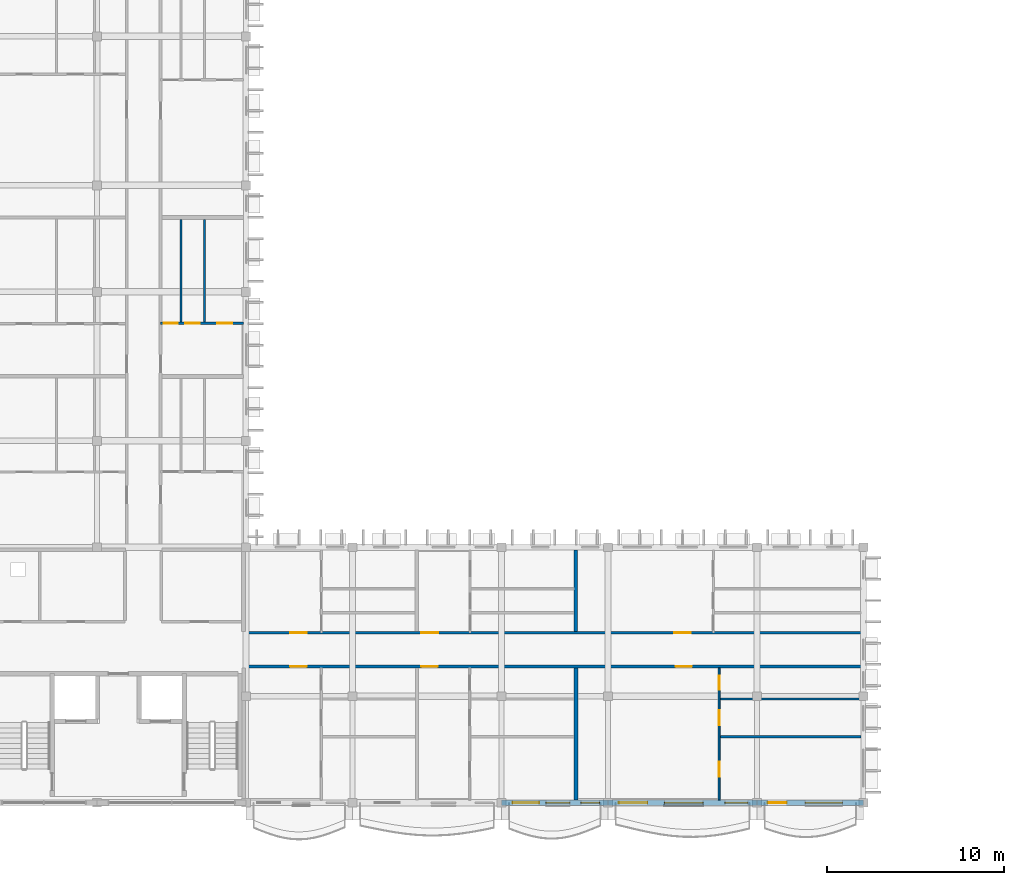
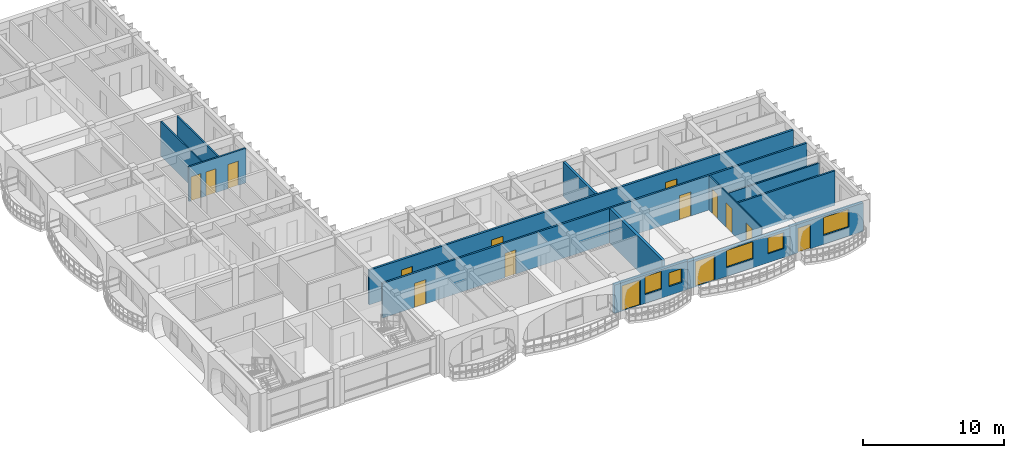
# One storey, part 16 of 66: 15 doors, 13 walls, 5 windows, 20 openings.
"""IFC4 building model written with IfcOpenShell, lengths in metres."""

from ifc_helpers import new_model, si_unit, direction, frame, frame_2d, origin, place, context, subcontext, project, spatial, rectangle, extrude, material, layer, layer_set, type_object, element, fill, save


model = new_model("IFC4")

# Units and contexts
model_context = context("Model", 3, precision=1e-05, world=origin(), true_north=direction((0.0, 1.0)))
body_context = subcontext(model_context, "Body", "Model", "MODEL_VIEW")
ifc_project = project(units=[si_unit("LENGTHUNIT", "METRE"), si_unit("AREAUNIT", "SQUARE_METRE"), si_unit("VOLUMEUNIT", "CUBIC_METRE"), si_unit("PLANEANGLEUNIT", "RADIAN"), si_unit("MASSUNIT", "GRAM", prefix="KILO"), si_unit("THERMODYNAMICTEMPERATUREUNIT", "KELVIN")], contexts=[model_context])

# Site, building, storey
site_placement = place(None, origin())
site = spatial("IfcSite", under=ifc_project, at=site_placement, CompositionType="ELEMENT")
building_placement = place(site_placement, origin())
building = spatial("IfcBuilding", under=site, at=building_placement, Name="Thalorik Housing Commons", CompositionType="ELEMENT")
storey_placement = place(building_placement, frame((0.0, 0.0, 21.300048828125)))
storey = spatial("IfcBuildingStorey", under=building, at=storey_placement, Name="L06", CompositionType="ELEMENT", Elevation=21.300048828125)

# Wall, openings, doors
ifc_material_1 = material(Name="Masonry fire-rated corridor wall", Category="masonry")
ifc_layer_1 = layer(ifc_material_1, 0.14990234375, Name="Masonry fire-rated corridor wall", Category="masonry")
ifc_layer_set_1 = layer_set([ifc_layer_1], Name="Masonry fire-rated corridor wall")
wall_type_1 = type_object("IfcWallType", Name="ARC-WAL-CORR-150", PredefinedType="PARTITIONING", material=ifc_layer_set_1)
wall_1_placement = place(storey_placement, frame((22.659912109375, 16.080078125, 0.0), z_axis=(0.0, 0.0, 1.0), x_axis=(1.0, 0.0, 0.0)))
wall_1 = element("IfcWall", 1, at=wall_1_placement, inside=storey, type_object=wall_type_1, Name="L06 Block C S Corridor Wall 1", PredefinedType="PARTITIONING", context=body_context, shape_type="SweptSolid", body=[
    extrude(rectangle(XDim=34.79296875, YDim=0.14990234375, at=frame_2d((17.396484375, 0.0))), origin(), (0.0, 0.0, 1.0), 3.0),
])
opening_1_placement = place(wall_1_placement, frame((2.626708984375, 0.0, 0.0)))
opening_1 = element("IfcOpeningElement", 2, at=opening_1_placement, cuts=wall_1, Name="Opening ID-1836", PredefinedType="OPENING", context=body_context, shape_type="SweptSolid", body=[
    extrude(rectangle(XDim=0.919921875, YDim=2.10009765625, at=frame_2d((0.4599609375, 1.050048828125))), frame((0.0, 0.0849609375, 0.0), z_axis=(0.0, -1.0, 0.0), x_axis=(1.0, 0.0, 0.0)), (0.0, 0.0, 1.0), 0.169921875),
])
opening_2_placement = place(wall_1_placement, frame((10.02001953125, 0.0, 0.0)))
opening_2 = element("IfcOpeningElement", 3, at=opening_2_placement, cuts=wall_1, Name="Opening ID-1837", PredefinedType="OPENING", context=body_context, shape_type="SweptSolid", body=[
    extrude(rectangle(XDim=0.919921875, YDim=2.10009765625, at=frame_2d((0.4599609375, 1.050048828125))), frame((0.0, 0.0849609375, 0.0), z_axis=(0.0, -1.0, 0.0), x_axis=(1.0, 0.0, 0.0)), (0.0, 0.0, 1.0), 0.169921875),
])
opening_3_placement = place(wall_1_placement, frame((24.354736328125, 0.0, 0.0)))
opening_3 = element("IfcOpeningElement", 4, at=opening_3_placement, cuts=wall_1, Name="Opening ID-1838", PredefinedType="OPENING", context=body_context, shape_type="SweptSolid", body=[
    extrude(rectangle(XDim=0.919921875, YDim=2.10009765625, at=frame_2d((0.4599609375, 1.050048828125))), frame((0.0, 0.0849609375, 0.0), z_axis=(0.0, -1.0, 0.0), x_axis=(1.0, 0.0, 0.0)), (0.0, 0.0, 1.0), 0.169921875),
])
ifc_material_2 = material(Name="Solid core hardwood timber", Category="wood")
door_type_1 = type_object("IfcDoorType", Name="ARC-DR-FD30-920", OperationType="NOTDEFINED", PredefinedType="DOOR", material=ifc_material_2)
door_1_placement = place(opening_1_placement, origin())
door_1 = element("IfcDoor", 5, at=door_1_placement, inside=storey, type_object=door_type_1, Name="L06 Flat CS-1A Entrance Door", OperationType="SINGLE_SWING_LEFT", OverallHeight=2.10009765625, OverallWidth=0.919921875, PredefinedType="DOOR", context=body_context, shape_type="SweptSolid", body=[
    extrude(rectangle(XDim=0.919921875, YDim=2.10009765625, at=frame_2d((0.4599609375, 1.050048828125))), frame((0.0, 0.02490234375, 0.0), z_axis=(0.0, -1.0, 0.0), x_axis=(1.0, 0.0, 0.0)), (0.0, 0.0, 1.0), 0.050048828125),
])
fill(opening_1, door_1)
door_2_placement = place(opening_2_placement, origin())
door_2 = element("IfcDoor", 6, at=door_2_placement, inside=storey, type_object=door_type_1, Name="L06 Flat CS-2A Entrance Door", OperationType="SINGLE_SWING_RIGHT", OverallHeight=2.10009765625, OverallWidth=0.919921875, PredefinedType="DOOR", context=body_context, shape_type="SweptSolid", body=[
    extrude(rectangle(XDim=0.919921875, YDim=2.10009765625, at=frame_2d((0.4599609375, 1.050048828125))), frame((0.0, 0.02490234375, 0.0), z_axis=(0.0, -1.0, 0.0), x_axis=(1.0, 0.0, 0.0)), (0.0, 0.0, 1.0), 0.050048828125),
])
fill(opening_2, door_2)
door_3_placement = place(opening_3_placement, origin())
door_3 = element("IfcDoor", 7, at=door_3_placement, inside=storey, type_object=door_type_1, Name="L06 Flat CS-3A Entrance Door", OperationType="SINGLE_SWING_LEFT", OverallHeight=2.10009765625, OverallWidth=0.919921875, PredefinedType="DOOR", context=body_context, shape_type="SweptSolid", body=[
    extrude(rectangle(XDim=0.919921875, YDim=2.10009765625, at=frame_2d((0.4599609375, 1.050048828125))), frame((0.0, 0.02490234375, 0.0), z_axis=(0.0, -1.0, 0.0), x_axis=(1.0, 0.0, 0.0)), (0.0, 0.0, 1.0), 0.050048828125),
])
fill(opening_3, door_3)

ifc_layer_2 = layer(ifc_material_1, 0.1650390625, Name="Masonry fire-rated corridor wall", Category="masonry")
ifc_layer_set_2 = layer_set([ifc_layer_2], Name="Masonry fire-rated corridor wall")
wall_type_2 = type_object("IfcWallType", Name="ARC-WAL-CORR-165", PredefinedType="PARTITIONING", material=ifc_layer_set_2)
wall_2_placement = place(storey_placement, frame((22.659912109375, 17.97998046875, 0.0), z_axis=(0.0, 0.0, 1.0), x_axis=(1.0, 0.0, 0.0)))
wall_2 = element("IfcWall", 8, at=wall_2_placement, inside=storey, type_object=wall_type_2, Name="L06 Block C S Corridor Wall 2", PredefinedType="PARTITIONING", context=body_context, shape_type="SweptSolid", body=[
    extrude(rectangle(XDim=34.79296875, YDim=0.1650390625, at=frame_2d((17.396484375, 0.0))), origin(), (0.0, 0.0, 1.0), 3.0),
])
opening_4_placement = place(wall_2_placement, frame((2.63037109375, 0.0, 0.0)))
opening_4 = element("IfcOpeningElement", 9, at=opening_4_placement, cuts=wall_2, Name="Opening ID-1839", PredefinedType="OPENING", context=body_context, shape_type="SweptSolid", body=[
    extrude(rectangle(XDim=0.919921875, YDim=2.10009765625, at=frame_2d((0.4599609375, 1.050048828125))), frame((0.0, 0.092529296875, 0.0), z_axis=(0.0, -1.0, 0.0), x_axis=(1.0, 0.0, 0.0)), (0.0, 0.0, 1.0), 0.18505859375),
])
opening_5_placement = place(wall_2_placement, frame((10.02001953125, 0.0, 0.0)))
opening_5 = element("IfcOpeningElement", 10, at=opening_5_placement, cuts=wall_2, Name="Opening ID-1840", PredefinedType="OPENING", context=body_context, shape_type="SweptSolid", body=[
    extrude(rectangle(XDim=0.9599609375, YDim=2.1201171875, at=frame_2d((0.47998046875, 1.06005859375))), frame((0.0, 0.092529296875, 0.0), z_axis=(0.0, -1.0, 0.0), x_axis=(1.0, 0.0, 0.0)), (0.0, 0.0, 1.0), 0.18505859375),
])
opening_6_placement = place(wall_2_placement, frame((24.288818359375, 0.0, 0.0)))
opening_6 = element("IfcOpeningElement", 11, at=opening_6_placement, cuts=wall_2, Name="Opening ID-1841", PredefinedType="OPENING", context=body_context, shape_type="SweptSolid", body=[
    extrude(rectangle(XDim=0.919921875, YDim=2.10009765625, at=frame_2d((0.4599609375, 1.050048828125))), frame((0.0, 0.092529296875, 0.0), z_axis=(0.0, -1.0, 0.0), x_axis=(1.0, 0.0, 0.0)), (0.0, 0.0, 1.0), 0.18505859375),
])
door_4_placement = place(opening_4_placement, origin())
door_4 = element("IfcDoor", 12, at=door_4_placement, inside=storey, type_object=door_type_1, Name="L06 Flat CS-1B Entrance Door", OperationType="SINGLE_SWING_RIGHT", OverallHeight=2.10009765625, OverallWidth=0.919921875, PredefinedType="DOOR", context=body_context, shape_type="SweptSolid", body=[
    extrude(rectangle(XDim=0.919921875, YDim=2.10009765625, at=frame_2d((0.4599609375, 1.050048828125))), frame((0.0, 0.02490234375, 0.0), z_axis=(0.0, -1.0, 0.0), x_axis=(1.0, 0.0, 0.0)), (0.0, 0.0, 1.0), 0.050048828125),
])
fill(opening_4, door_4)
door_5_placement = place(opening_6_placement, origin())
door_5 = element("IfcDoor", 13, at=door_5_placement, inside=storey, type_object=door_type_1, Name="L06 Flat CS-3B Entrance Door", OperationType="SINGLE_SWING_RIGHT", OverallHeight=2.10009765625, OverallWidth=0.919921875, PredefinedType="DOOR", context=body_context, shape_type="SweptSolid", body=[
    extrude(rectangle(XDim=0.919921875, YDim=2.10009765625, at=frame_2d((0.4599609375, 1.050048828125))), frame((0.0, 0.02490234375, 0.0), z_axis=(0.0, -1.0, 0.0), x_axis=(1.0, 0.0, 0.0)), (0.0, 0.0, 1.0), 0.050048828125),
])
fill(opening_6, door_5)
door_type_2 = type_object("IfcDoorType", Name="ARC-DR-FD30-960", OperationType="NOTDEFINED", PredefinedType="DOOR", material=ifc_material_2)
door_6_placement = place(opening_5_placement, origin())
door_6 = element("IfcDoor", 14, at=door_6_placement, inside=storey, type_object=door_type_2, Name="L06 Flat CS-2B Entrance Door", OperationType="SINGLE_SWING_LEFT", OverallHeight=2.1201171875, OverallWidth=0.9599609375, PredefinedType="DOOR", context=body_context, shape_type="SweptSolid", body=[
    extrude(rectangle(XDim=0.9599609375, YDim=2.1201171875, at=frame_2d((0.47998046875, 1.06005859375))), frame((0.0, 0.02490234375, 0.0), z_axis=(0.0, -1.0, 0.0), x_axis=(1.0, 0.0, 0.0)), (0.0, 0.0, 1.0), 0.050048828125),
])
fill(opening_5, door_6)

# Wall, openings, door, windows
ifc_material_3 = material(Name="White precast concrete C40/50", Category="concrete")
ifc_layer_3 = layer(ifc_material_3, 0.2900390625, Name="White precast concrete C40/50", Category="concrete")
ifc_layer_set_3 = layer_set([ifc_layer_3], Name="White precast concrete C40/50")
wall_type_3 = type_object("IfcWallType", Name="ARC-WAL-EXT-290", PredefinedType="STANDARD", material=ifc_layer_set_3)
wall_3_placement = place(storey_placement, frame((37.199951171875, 8.39990234375, 0.0), z_axis=(0.0, 0.0, 1.0), x_axis=(1.0, 0.0, 0.0)))
wall_3 = element("IfcWall", 15, at=wall_3_placement, inside=storey, type_object=wall_type_3, Name="L06 Exterior Wall WAL-EXT-L06-C-1007", PredefinedType="STANDARD", context=body_context, shape_type="SweptSolid", body=[
    extrude(rectangle(XDim=6.0, YDim=0.2900390625, at=frame_2d((3.0, 0.0))), origin(), (0.0, 0.0, 1.0), 2.474853515625),
])
opening_7_placement = place(wall_3_placement, frame((0.6201171875, 0.0, 0.0)))
opening_7 = element("IfcOpeningElement", 16, at=opening_7_placement, cuts=wall_3, Name="Opening ED-0335", PredefinedType="OPENING", context=body_context, shape_type="SweptSolid", body=[
    extrude(rectangle(XDim=1.5, YDim=2.199951171875, at=frame_2d((0.75, 1.10009765625))), frame((0.0, 0.155029296875, 0.0), z_axis=(0.0, -1.0, 0.0), x_axis=(1.0, 0.0, 0.0)), (0.0, 0.0, 1.0), 0.31005859375),
])
opening_8_placement = place(wall_3_placement, frame((2.5048828125, 0.0, 0.780029296875)))
opening_8 = element("IfcOpeningElement", 17, at=opening_8_placement, cuts=wall_3, Name="Opening W-07", PredefinedType="OPENING", context=body_context, shape_type="SweptSolid", body=[
    extrude(rectangle(XDim=1.35009765625, YDim=1.550048828125, at=frame_2d((0.675048828125, 0.77490234375))), frame((0.0, 0.155029296875, 0.0), z_axis=(0.0, -1.0, 0.0), x_axis=(1.0, 0.0, 0.0)), (0.0, 0.0, 1.0), 0.31005859375),
])
opening_9_placement = place(wall_3_placement, frame((4.47509765625, 0.0, 0.780029296875)))
opening_9 = element("IfcOpeningElement", 18, at=opening_9_placement, cuts=wall_3, Name="Opening W-44", PredefinedType="OPENING", context=body_context, shape_type="SweptSolid", body=[
    extrude(rectangle(XDim=1.050048828125, YDim=1.199951171875, at=frame_2d((0.52490234375, 0.60009765625))), frame((0.0, 0.155029296875, 0.0), z_axis=(0.0, -1.0, 0.0), x_axis=(1.0, 0.0, 0.0)), (0.0, 0.0, 1.0), 0.31005859375),
])
ifc_material_4 = material(Name="Anodised aluminium and laminated safety glass", Category="aluminium")
door_type_3 = type_object("IfcDoorType", Name="ARC-DR-BAL-1500", OperationType="NOTDEFINED", PredefinedType="DOOR", material=ifc_material_4)
door_7_placement = place(opening_7_placement, frame((1.5, 0.0, 0.0), z_axis=(0.0, 0.0, 1.0), x_axis=(-1.0, 0.0, 0.0)))
door_7 = element("IfcDoor", 19, at=door_7_placement, inside=storey, type_object=door_type_3, Name="L06 Block C Balcony Glazed Door", OperationType="SLIDING_TO_RIGHT", OverallHeight=2.199951171875, OverallWidth=1.5, PredefinedType="DOOR", context=body_context, shape_type="SweptSolid", body=[
    extrude(rectangle(XDim=1.5, YDim=2.199951171875, at=frame_2d((0.75, 1.10009765625))), frame((0.0, 0.02490234375, 0.0), z_axis=(0.0, -1.0, 0.0), x_axis=(1.0, 0.0, 0.0)), (0.0, 0.0, 1.0), 0.050048828125),
])
fill(opening_7, door_7)
ifc_material_5 = material(Name="Anodised aluminium and solar-control low-E glass", Category="aluminium")
window_type_1 = type_object("IfcWindowType", Name="ARC-WIN-07", PartitioningType="SINGLE_PANEL", PredefinedType="WINDOW", material=ifc_material_5)
window_1_placement = place(opening_8_placement, origin())
window_1 = element("IfcWindow", 20, at=window_1_placement, inside=storey, type_object=window_type_1, Name="L06 Facade Window 1859", OverallHeight=1.550048828125, OverallWidth=1.35009765625, PartitioningType="SINGLE_PANEL", PredefinedType="WINDOW", context=body_context, shape_type="SweptSolid", body=[
    extrude(rectangle(XDim=1.35009765625, YDim=1.550048828125, at=frame_2d((0.675048828125, 0.77490234375))), frame((0.0, 0.030029296875, 0.0), z_axis=(0.0, -1.0, 0.0), x_axis=(1.0, 0.0, 0.0)), (0.0, 0.0, 1.0), 0.06005859375),
])
fill(opening_8, window_1)
window_type_2 = type_object("IfcWindowType", Name="ARC-WIN-44", PartitioningType="SINGLE_PANEL", PredefinedType="WINDOW", material=ifc_material_5)
window_2_placement = place(opening_9_placement, origin())
window_2 = element("IfcWindow", 21, at=window_2_placement, inside=storey, type_object=window_type_2, Name="L06 Facade Window 1860", OverallHeight=1.199951171875, OverallWidth=1.050048828125, PartitioningType="SINGLE_PANEL", PredefinedType="WINDOW", context=body_context, shape_type="SweptSolid", body=[
    extrude(rectangle(XDim=1.050048828125, YDim=1.199951171875, at=frame_2d((0.52490234375, 0.60009765625))), frame((0.0, 0.030029296875, 0.0), z_axis=(0.0, -1.0, 0.0), x_axis=(1.0, 0.0, 0.0)), (0.0, 0.0, 1.0), 0.06005859375),
])
fill(opening_9, window_2)

wall_4_placement = place(storey_placement, frame((43.199951171875, 8.39990234375, 0.0), z_axis=(0.0, 0.0, 1.0), x_axis=(1.0, 0.0, 0.0)))
wall_4 = element("IfcWall", 22, at=wall_4_placement, inside=storey, type_object=wall_type_3, Name="L06 Exterior Wall WAL-EXT-L06-C-1008", PredefinedType="STANDARD", context=body_context, shape_type="SweptSolid", body=[
    extrude(rectangle(XDim=8.400146484375, YDim=0.2900390625, at=frame_2d((4.2001953125, 0.0))), origin(), (0.0, 0.0, 1.0), 2.375),
])
opening_10_placement = place(wall_4_placement, frame((0.6201171875, 0.0, 0.0)))
opening_10 = element("IfcOpeningElement", 23, at=opening_10_placement, cuts=wall_4, Name="Opening ED-0336", PredefinedType="OPENING", context=body_context, shape_type="SweptSolid", body=[
    extrude(rectangle(XDim=1.60009765625, YDim=2.199951171875, at=frame_2d((0.800048828125, 1.10009765625))), frame((0.0, 0.155029296875, 0.0), z_axis=(0.0, -1.0, 0.0), x_axis=(1.0, 0.0, 0.0)), (0.0, 0.0, 1.0), 0.31005859375),
])
opening_11_placement = place(wall_4_placement, frame((3.177490234375, 0.0, 0.780029296875)))
opening_11 = element("IfcOpeningElement", 24, at=opening_11_placement, cuts=wall_4, Name="Opening W-65", PredefinedType="OPENING", context=body_context, shape_type="SweptSolid", body=[
    extrude(rectangle(XDim=2.179931640625, YDim=1.47998046875, at=frame_2d((1.08984375, 0.739990234375))), frame((0.0, 0.155029296875, 0.0), z_axis=(0.0, -1.0, 0.0), x_axis=(1.0, 0.0, 0.0)), (0.0, 0.0, 1.0), 0.31005859375),
])
opening_12_placement = place(wall_4_placement, frame((6.58740234375, 0.0, 0.780029296875)))
opening_12 = element("IfcOpeningElement", 25, at=opening_12_placement, cuts=wall_4, Name="Opening W-06", PredefinedType="OPENING", context=body_context, shape_type="SweptSolid", body=[
    extrude(rectangle(XDim=1.300048828125, YDim=1.39990234375, at=frame_2d((0.64990234375, 0.699951171875))), frame((0.0, 0.155029296875, 0.0), z_axis=(0.0, -1.0, 0.0), x_axis=(1.0, 0.0, 0.0)), (0.0, 0.0, 1.0), 0.31005859375),
])
door_type_4 = type_object("IfcDoorType", Name="ARC-DR-BAL-1600", OperationType="NOTDEFINED", PredefinedType="DOOR", material=ifc_material_4)
door_8_placement = place(opening_10_placement, frame((1.60009765625, 0.0, 0.0), z_axis=(0.0, 0.0, 1.0), x_axis=(-1.0, 0.0, 0.0)))
door_8 = element("IfcDoor", 26, at=door_8_placement, inside=storey, type_object=door_type_4, Name="L06 Block C Balcony Glazed Door", OperationType="SLIDING_TO_LEFT", OverallHeight=2.199951171875, OverallWidth=1.60009765625, PredefinedType="DOOR", context=body_context, shape_type="SweptSolid", body=[
    extrude(rectangle(XDim=1.60009765625, YDim=2.199951171875, at=frame_2d((0.800048828125, 1.10009765625))), frame((0.0, 0.02490234375, 0.0), z_axis=(0.0, -1.0, 0.0), x_axis=(1.0, 0.0, 0.0)), (0.0, 0.0, 1.0), 0.050048828125),
])
fill(opening_10, door_8)
window_type_3 = type_object("IfcWindowType", Name="ARC-WIN-06", PartitioningType="SINGLE_PANEL", PredefinedType="WINDOW", material=ifc_material_5)
window_3_placement = place(opening_12_placement, origin())
window_3 = element("IfcWindow", 27, at=window_3_placement, inside=storey, type_object=window_type_3, Name="L06 Facade Window 1862", OverallHeight=1.39990234375, OverallWidth=1.300048828125, PartitioningType="SINGLE_PANEL", PredefinedType="WINDOW", context=body_context, shape_type="SweptSolid", body=[
    extrude(rectangle(XDim=1.300048828125, YDim=1.39990234375, at=frame_2d((0.64990234375, 0.699951171875))), frame((0.0, 0.030029296875, 0.0), z_axis=(0.0, -1.0, 0.0), x_axis=(1.0, 0.0, 0.0)), (0.0, 0.0, 1.0), 0.06005859375),
])
fill(opening_12, window_3)
window_type_4 = type_object("IfcWindowType", Name="ARC-WIN-65", PartitioningType="DOUBLE_PANEL_VERTICAL", PredefinedType="WINDOW", material=ifc_material_5)
window_4_placement = place(opening_11_placement, origin())
window_4 = element("IfcWindow", 28, at=window_4_placement, inside=storey, type_object=window_type_4, Name="L06 Facade Window 1861", OverallHeight=1.47998046875, OverallWidth=2.179931640625, PartitioningType="DOUBLE_PANEL_VERTICAL", PredefinedType="WINDOW", context=body_context, shape_type="SweptSolid", body=[
    extrude(rectangle(XDim=2.179931640625, YDim=1.47998046875, at=frame_2d((1.08984375, 0.739990234375))), frame((0.0, 0.030029296875, 0.0), z_axis=(0.0, -1.0, 0.0), x_axis=(1.0, 0.0, 0.0)), (0.0, 0.0, 1.0), 0.06005859375),
])
fill(opening_11, window_4)

# Wall, openings, door, window
wall_5_placement = place(storey_placement, frame((51.60009765625, 8.39990234375, 0.0), z_axis=(0.0, 0.0, 1.0), x_axis=(1.0, 0.0, 0.0)))
wall_5 = element("IfcWall", 29, at=wall_5_placement, inside=storey, type_object=wall_type_3, Name="L06 Exterior Wall WAL-EXT-L06-C-1009", PredefinedType="STANDARD", context=body_context, shape_type="SweptSolid", body=[
    extrude(rectangle(XDim=6.0, YDim=0.2900390625, at=frame_2d((3.0, 0.0))), origin(), (0.0, 0.0, 1.0), 2.474853515625),
])
opening_13_placement = place(wall_5_placement, frame((0.6201171875, 0.0, 0.0)))
opening_13 = element("IfcOpeningElement", 30, at=opening_13_placement, cuts=wall_5, Name="Opening ED-0337", PredefinedType="OPENING", context=body_context, shape_type="SweptSolid", body=[
    extrude(rectangle(XDim=1.050048828125, YDim=2.14990234375, at=frame_2d((0.52490234375, 1.074951171875))), frame((0.0, 0.155029296875, 0.0), z_axis=(0.0, -1.0, 0.0), x_axis=(1.0, 0.0, 0.0)), (0.0, 0.0, 1.0), 0.31005859375),
])
opening_14_placement = place(wall_5_placement, frame((2.715087890625, 0.0, 0.780029296875)))
opening_14 = element("IfcOpeningElement", 31, at=opening_14_placement, cuts=wall_5, Name="Opening W-26", PredefinedType="OPENING", context=body_context, shape_type="SweptSolid", body=[
    extrude(rectangle(XDim=2.10009765625, YDim=1.550048828125, at=frame_2d((1.050048828125, 0.77490234375))), frame((0.0, 0.155029296875, 0.0), z_axis=(0.0, -1.0, 0.0), x_axis=(1.0, 0.0, 0.0)), (0.0, 0.0, 1.0), 0.31005859375),
])
door_type_5 = type_object("IfcDoorType", Name="ARC-DR-BAL-1050", OperationType="NOTDEFINED", PredefinedType="DOOR", material=ifc_material_4)
door_9_placement = place(opening_13_placement, frame((1.050048828125, 0.0, 0.0), z_axis=(0.0, 0.0, 1.0), x_axis=(-1.0, 0.0, 0.0)))
door_9 = element("IfcDoor", 32, at=door_9_placement, inside=storey, type_object=door_type_5, Name="L06 Block C Balcony Glazed Door", OperationType="SINGLE_SWING_RIGHT", OverallHeight=2.14990234375, OverallWidth=1.050048828125, PredefinedType="DOOR", context=body_context, shape_type="SweptSolid", body=[
    extrude(rectangle(XDim=1.050048828125, YDim=2.14990234375, at=frame_2d((0.52490234375, 1.074951171875))), frame((0.0, 0.02490234375, 0.0), z_axis=(0.0, -1.0, 0.0), x_axis=(1.0, 0.0, 0.0)), (0.0, 0.0, 1.0), 0.050048828125),
])
fill(opening_13, door_9)
window_type_5 = type_object("IfcWindowType", Name="ARC-WIN-26", PartitioningType="DOUBLE_PANEL_VERTICAL", PredefinedType="WINDOW", material=ifc_material_5)
window_5_placement = place(opening_14_placement, origin())
window_5 = element("IfcWindow", 33, at=window_5_placement, inside=storey, type_object=window_type_5, Name="L06 Facade Window 1863", OverallHeight=1.550048828125, OverallWidth=2.10009765625, PartitioningType="DOUBLE_PANEL_VERTICAL", PredefinedType="WINDOW", context=body_context, shape_type="SweptSolid", body=[
    extrude(rectangle(XDim=2.10009765625, YDim=1.550048828125, at=frame_2d((1.050048828125, 0.77490234375))), frame((0.0, 0.030029296875, 0.0), z_axis=(0.0, -1.0, 0.0), x_axis=(1.0, 0.0, 0.0)), (0.0, 0.0, 1.0), 0.06005859375),
])
fill(opening_14, window_5)

# Wall, openings, doors
ifc_material_6 = material(Name="Gypsum light stud partition", Category="masonry")
ifc_layer_4 = layer(ifc_material_6, 0.10009765625, Name="Gypsum light stud partition", Category="masonry")
ifc_layer_set_4 = layer_set([ifc_layer_4], Name="Gypsum light stud partition")
wall_type_4 = type_object("IfcWallType", Name="ARC-WAL-PART-100", PredefinedType="PARTITIONING", material=ifc_layer_set_4)
wall_6_placement = place(storey_placement, frame((49.465087890625, 8.547119140625, 0.0), z_axis=(0.0, 0.0, 1.0), x_axis=(0.0, 1.0, 0.0)))
wall_6 = element("IfcWall", 34, at=wall_6_placement, inside=storey, type_object=wall_type_4, Name="L06 Unit 3 Spine Partition", PredefinedType="PARTITIONING", context=body_context, shape_type="SweptSolid", body=[
    extrude(rectangle(XDim=7.455810546875, YDim=0.10009765625, at=frame_2d((3.72802734375, 0.0))), origin(), (0.0, 0.0, 1.0), 3.0),
])
opening_15_placement = place(wall_6_placement, frame((1.31689453125, 0.0, 0.0)))
opening_15 = element("IfcOpeningElement", 35, at=opening_15_placement, cuts=wall_6, Name="Opening ID-1830", PredefinedType="OPENING", context=body_context, shape_type="SweptSolid", body=[
    extrude(rectangle(XDim=0.85009765625, YDim=2.10009765625, at=frame_2d((0.425048828125, 1.050048828125))), frame((0.0, 0.06005859375, 0.0), z_axis=(0.0, -1.0, 0.0), x_axis=(1.0, 0.0, 0.0)), (0.0, 0.0, 1.0), 0.1201171875),
])
opening_16_placement = place(wall_6_placement, frame((4.21240234375, 0.0, 0.0)))
opening_16 = element("IfcOpeningElement", 36, at=opening_16_placement, cuts=wall_6, Name="Opening ID-1831", PredefinedType="OPENING", context=body_context, shape_type="SweptSolid", body=[
    extrude(rectangle(XDim=0.85009765625, YDim=2.10009765625, at=frame_2d((0.425048828125, 1.050048828125))), frame((0.0, 0.06005859375, 0.0), z_axis=(0.0, -1.0, 0.0), x_axis=(1.0, 0.0, 0.0)), (0.0, 0.0, 1.0), 0.1201171875),
])
opening_17_placement = place(wall_6_placement, frame((6.218505859375, 0.0, 0.0)))
opening_17 = element("IfcOpeningElement", 37, at=opening_17_placement, cuts=wall_6, Name="Opening ID-1832", PredefinedType="OPENING", context=body_context, shape_type="SweptSolid", body=[
    extrude(rectangle(XDim=0.800048828125, YDim=2.10009765625, at=frame_2d((0.39990234375, 1.050048828125))), frame((0.0, 0.06005859375, 0.0), z_axis=(0.0, -1.0, 0.0), x_axis=(1.0, 0.0, 0.0)), (0.0, 0.0, 1.0), 0.1201171875),
])
ifc_material_7 = material(Name="Moisture-resistant timber", Category="wood")
door_type_6 = type_object("IfcDoorType", Name="ARC-DR-INT-800", OperationType="NOTDEFINED", PredefinedType="DOOR", material=ifc_material_7)
door_10_placement = place(opening_17_placement, origin())
door_10 = element("IfcDoor", 38, at=door_10_placement, inside=storey, type_object=door_type_6, Name="L06 Flat Bathroom Door", OperationType="SINGLE_SWING_LEFT", OverallHeight=2.10009765625, OverallWidth=0.800048828125, PredefinedType="DOOR", context=body_context, shape_type="SweptSolid", body=[
    extrude(rectangle(XDim=0.800048828125, YDim=2.10009765625, at=frame_2d((0.39990234375, 1.050048828125))), frame((0.0, 0.02490234375, 0.0), z_axis=(0.0, -1.0, 0.0), x_axis=(1.0, 0.0, 0.0)), (0.0, 0.0, 1.0), 0.050048828125),
])
fill(opening_17, door_10)
ifc_material_8 = material(Name="Engineered oak timber", Category="wood")
door_type_7 = type_object("IfcDoorType", Name="ARC-DR-INT-850", OperationType="NOTDEFINED", PredefinedType="DOOR", material=ifc_material_8)
door_11_placement = place(opening_15_placement, origin())
door_11 = element("IfcDoor", 39, at=door_11_placement, inside=storey, type_object=door_type_7, Name="L06 Single Bedroom Door", OperationType="SINGLE_SWING_LEFT", OverallHeight=2.10009765625, OverallWidth=0.85009765625, PredefinedType="DOOR", context=body_context, shape_type="SweptSolid", body=[
    extrude(rectangle(XDim=0.85009765625, YDim=2.10009765625, at=frame_2d((0.425048828125, 1.050048828125))), frame((0.0, 0.02490234375, 0.0), z_axis=(0.0, -1.0, 0.0), x_axis=(1.0, 0.0, 0.0)), (0.0, 0.0, 1.0), 0.050048828125),
])
fill(opening_15, door_11)
door_12_placement = place(opening_16_placement, origin())
door_12 = element("IfcDoor", 40, at=door_12_placement, inside=storey, type_object=door_type_7, Name="L06 Galley Kitchen Door", OperationType="SINGLE_SWING_RIGHT", OverallHeight=2.10009765625, OverallWidth=0.85009765625, PredefinedType="DOOR", context=body_context, shape_type="SweptSolid", body=[
    extrude(rectangle(XDim=0.85009765625, YDim=2.10009765625, at=frame_2d((0.425048828125, 1.050048828125))), frame((0.0, 0.02490234375, 0.0), z_axis=(0.0, -1.0, 0.0), x_axis=(1.0, 0.0, 0.0)), (0.0, 0.0, 1.0), 0.050048828125),
])
fill(opening_16, door_12)

# Walls
ifc_material_9 = material(Name="Gypsum moisture-resistant partition", Category="masonry")
ifc_layer_5 = layer(ifc_material_9, 0.114990234375, Name="Gypsum moisture-resistant partition", Category="masonry")
ifc_layer_set_5 = layer_set([ifc_layer_5], Name="Gypsum moisture-resistant partition")
wall_type_5 = type_object("IfcWallType", Name="ARC-WAL-PART-115", PredefinedType="PARTITIONING", material=ifc_layer_set_5)
wall_7_placement = place(storey_placement, frame((19.122314453125, 35.502685546875, 0.0), z_axis=(0.0, 0.0, 1.0), x_axis=(0.0, 1.0, 0.0)))
element("IfcWall", 41, at=wall_7_placement, inside=storey, type_object=wall_type_5, Name="L06 Unit 2B Wet Wall", PredefinedType="PARTITIONING", context=body_context, shape_type="SweptSolid", body=[
    extrude(rectangle(XDim=5.785400390625, YDim=0.114990234375, at=frame_2d((2.892578125, 0.0))), origin(), (0.0, 0.0, 1.0), 3.0),
])
ifc_material_10 = material(Name="Gypsum acoustic stud partition", Category="masonry")
ifc_layer_6 = layer(ifc_material_10, 0.125, Name="Gypsum acoustic stud partition", Category="masonry")
ifc_layer_set_6 = layer_set([ifc_layer_6], Name="Gypsum acoustic stud partition")
wall_type_6 = type_object("IfcWallType", Name="ARC-WAL-PART-125", PredefinedType="PARTITIONING", material=ifc_layer_set_6)
wall_8_placement = place(storey_placement, frame((20.455078125, 35.502685546875, 0.0), z_axis=(0.0, 0.0, 1.0), x_axis=(0.0, 1.0, 0.0)))
element("IfcWall", 42, at=wall_8_placement, inside=storey, type_object=wall_type_6, Name="L06 Unit 2B Bedroom Partition", PredefinedType="PARTITIONING", context=body_context, shape_type="SweptSolid", body=[
    extrude(rectangle(XDim=5.785400390625, YDim=0.125, at=frame_2d((2.892578125, 0.0))), origin(), (0.0, 0.0, 1.0), 3.0),
])
wall_9_placement = place(storey_placement, frame((49.51708984375, 14.251220703125, 0.0), z_axis=(0.0, 0.0, 1.0), x_axis=(1.0, 0.0, 0.0)))
element("IfcWall", 43, at=wall_9_placement, inside=storey, type_object=wall_type_6, Name="L06 Unit 3 Wet Wall", PredefinedType="PARTITIONING", context=body_context, shape_type="SweptSolid", body=[
    extrude(rectangle(XDim=7.935791015625, YDim=0.125, at=frame_2d((3.9677734375, 0.0))), origin(), (0.0, 0.0, 1.0), 2.375),
])

# Wall, openings, doors
ifc_material_11 = material(Name="Ceramic masonry partition wall", Category="masonry")
ifc_layer_7 = layer(ifc_material_11, 0.139892578125, Name="Ceramic masonry partition wall", Category="masonry")
ifc_layer_set_7 = layer_set([ifc_layer_7], Name="Ceramic masonry partition wall")
wall_type_7 = type_object("IfcWallType", Name="ARC-WAL-PART-140", PredefinedType="PARTITIONING", material=ifc_layer_set_7)
wall_10_placement = place(storey_placement, frame((17.97998046875, 35.430908203125, 0.0), z_axis=(0.0, 0.0, 1.0), x_axis=(1.0, 0.0, 0.0)))
wall_10 = element("IfcWall", 44, at=wall_10_placement, inside=storey, type_object=wall_type_7, Name="L06 Unit 2B Spine Partition", PredefinedType="PARTITIONING", context=body_context, shape_type="SweptSolid", body=[
    extrude(rectangle(XDim=4.673095703125, YDim=0.139892578125, at=frame_2d((2.33642578125, 0.0))), origin(), (0.0, 0.0, 1.0), 3.0),
])
opening_18_placement = place(wall_10_placement, frame((0.171142578125, 0.0, 0.0)))
opening_18 = element("IfcOpeningElement", 45, at=opening_18_placement, cuts=wall_10, Name="Opening ID-1803", PredefinedType="OPENING", context=body_context, shape_type="SweptSolid", body=[
    extrude(rectangle(XDim=0.800048828125, YDim=2.10009765625, at=frame_2d((0.39990234375, 1.050048828125))), frame((0.0, 0.080078125, 0.0), z_axis=(0.0, -1.0, 0.0), x_axis=(1.0, 0.0, 0.0)), (0.0, 0.0, 1.0), 0.159912109375),
])
opening_19_placement = place(wall_10_placement, frame((1.3837890625, 0.0, 0.0)))
opening_19 = element("IfcOpeningElement", 46, at=opening_19_placement, cuts=wall_10, Name="Opening ID-1804", PredefinedType="OPENING", context=body_context, shape_type="SweptSolid", body=[
    extrude(rectangle(XDim=0.820068359375, YDim=2.080078125, at=frame_2d((0.41015625, 1.0400390625))), frame((0.0, 0.080078125, 0.0), z_axis=(0.0, -1.0, 0.0), x_axis=(1.0, 0.0, 0.0)), (0.0, 0.0, 1.0), 0.159912109375),
])
opening_20_placement = place(wall_10_placement, frame((3.192626953125, 0.0, 0.0)))
opening_20 = element("IfcOpeningElement", 47, at=opening_20_placement, cuts=wall_10, Name="Opening ID-1805", PredefinedType="OPENING", context=body_context, shape_type="SweptSolid", body=[
    extrude(rectangle(XDim=0.85009765625, YDim=2.10009765625, at=frame_2d((0.425048828125, 1.050048828125))), frame((0.0, 0.080078125, 0.0), z_axis=(0.0, -1.0, 0.0), x_axis=(1.0, 0.0, 0.0)), (0.0, 0.0, 1.0), 0.159912109375),
])
door_13_placement = place(opening_18_placement, origin())
door_13 = element("IfcDoor", 48, at=door_13_placement, inside=storey, type_object=door_type_6, Name="L06 Flat Bathroom Door", OperationType="SINGLE_SWING_RIGHT", OverallHeight=2.10009765625, OverallWidth=0.800048828125, PredefinedType="DOOR", context=body_context, shape_type="SweptSolid", body=[
    extrude(rectangle(XDim=0.800048828125, YDim=2.10009765625, at=frame_2d((0.39990234375, 1.050048828125))), frame((0.0, 0.02490234375, 0.0), z_axis=(0.0, -1.0, 0.0), x_axis=(1.0, 0.0, 0.0)), (0.0, 0.0, 1.0), 0.050048828125),
])
fill(opening_18, door_13)
door_type_8 = type_object("IfcDoorType", Name="ARC-DR-INT-820", OperationType="NOTDEFINED", PredefinedType="DOOR", material=ifc_material_8)
door_14_placement = place(opening_19_placement, origin())
door_14 = element("IfcDoor", 49, at=door_14_placement, inside=storey, type_object=door_type_8, Name="L06 Eat-In Kitchen Door", OperationType="SINGLE_SWING_LEFT", OverallHeight=2.080078125, OverallWidth=0.820068359375, PredefinedType="DOOR", context=body_context, shape_type="SweptSolid", body=[
    extrude(rectangle(XDim=0.820068359375, YDim=2.080078125, at=frame_2d((0.41015625, 1.0400390625))), frame((0.0, 0.02490234375, 0.0), z_axis=(0.0, -1.0, 0.0), x_axis=(1.0, 0.0, 0.0)), (0.0, 0.0, 1.0), 0.050048828125),
])
fill(opening_19, door_14)
door_15_placement = place(opening_20_placement, origin())
door_15 = element("IfcDoor", 50, at=door_15_placement, inside=storey, type_object=door_type_7, Name="L06 Master Bedroom Door", OperationType="SINGLE_SWING_RIGHT", OverallHeight=2.10009765625, OverallWidth=0.85009765625, PredefinedType="DOOR", context=body_context, shape_type="SweptSolid", body=[
    extrude(rectangle(XDim=0.85009765625, YDim=2.10009765625, at=frame_2d((0.425048828125, 1.050048828125))), frame((0.0, 0.02490234375, 0.0), z_axis=(0.0, -1.0, 0.0), x_axis=(1.0, 0.0, 0.0)), (0.0, 0.0, 1.0), 0.050048828125),
])
fill(opening_20, door_15)

# Walls
wall_11_placement = place(storey_placement, frame((49.51708984375, 12.11767578125, 0.0), z_axis=(0.0, 0.0, 1.0), x_axis=(1.0, 0.0, 0.0)))
element("IfcWall", 51, at=wall_11_placement, inside=storey, type_object=wall_type_7, Name="L06 Unit 3 Bedroom Partition", PredefinedType="PARTITIONING", context=body_context, shape_type="SweptSolid", body=[
    extrude(rectangle(XDim=7.935791015625, YDim=0.139892578125, at=frame_2d((3.9677734375, 0.0))), origin(), (0.0, 0.0, 1.0), 3.0),
])
ifc_material_12 = material(Name="Masonry acoustic blockwork wall", Category="masonry")
ifc_layer_8 = layer(ifc_material_12, 0.18505859375, Name="Masonry acoustic blockwork wall", Category="masonry")
ifc_layer_set_8 = layer_set([ifc_layer_8], Name="Masonry acoustic blockwork wall")
wall_type_8 = type_object("IfcWallType", Name="ARC-WAL-PARTY-185", PredefinedType="PARTITIONING", material=ifc_layer_set_8)
wall_12_placement = place(storey_placement, frame((41.389892578125, 18.064453125, 0.0), z_axis=(0.0, 0.0, 1.0), x_axis=(0.0, 1.0, 0.0)))
element("IfcWall", 52, at=wall_12_placement, inside=storey, type_object=wall_type_8, Name="L06 Inter-Tenancy Wall 2B", PredefinedType="PARTITIONING", context=body_context, shape_type="SweptSolid", body=[
    extrude(rectangle(XDim=4.588623046875, YDim=0.18505859375, at=frame_2d((2.29443359375, 0.0))), origin(), (0.0, 0.0, 1.0), 3.0),
])
ifc_material_13 = material(Name="Precast concrete C40/50 acoustic wall", Category="concrete")
ifc_layer_9 = layer(ifc_material_13, 0.219970703125, Name="Precast concrete C40/50 acoustic wall", Category="concrete")
ifc_layer_set_9 = layer_set([ifc_layer_9], Name="Precast concrete C40/50 acoustic wall")
wall_type_9 = type_object("IfcWallType", Name="ARC-WAL-PARTY-220", PredefinedType="PARTITIONING", material=ifc_layer_set_9)
wall_13_placement = place(storey_placement, frame((41.389892578125, 8.547119140625, 0.0), z_axis=(0.0, 0.0, 1.0), x_axis=(0.0, 1.0, 0.0)))
element("IfcWall", 53, at=wall_13_placement, inside=storey, type_object=wall_type_9, Name="L06 Inter-Tenancy Wall 2A", PredefinedType="PARTITIONING", context=body_context, shape_type="SweptSolid", body=[
    extrude(rectangle(XDim=7.455810546875, YDim=0.219970703125, at=frame_2d((3.72802734375, 0.0))), origin(), (0.0, 0.0, 1.0), 3.0),
])

save(model, "model.ifc")
